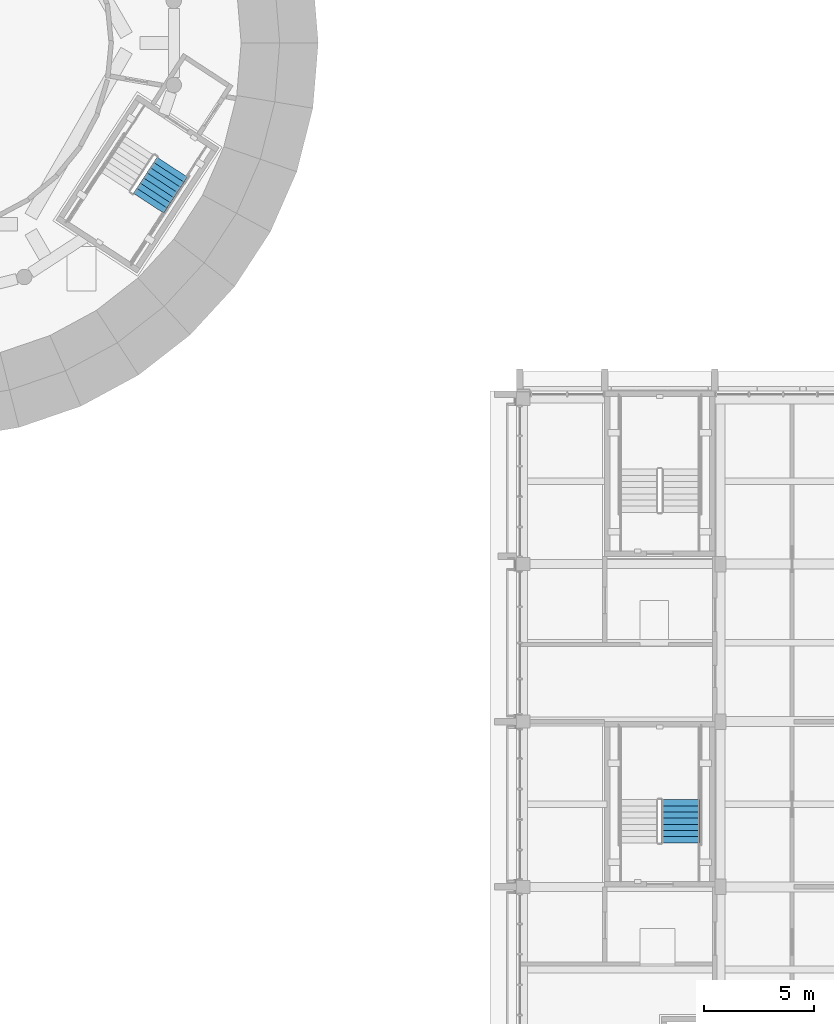
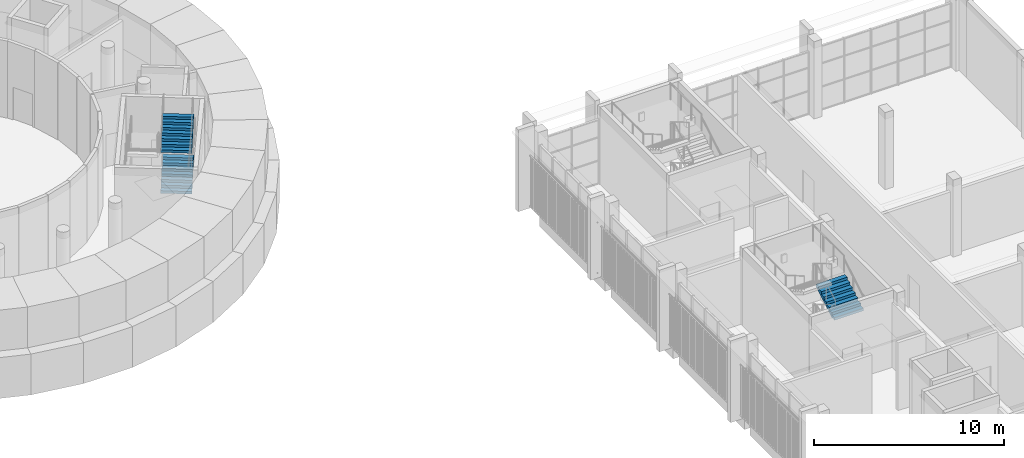
# One storey, part 78 of 125: 3 stair flights, 2 elements without a shape of their own.
"""IFC4 building model written with IfcOpenShell, lengths in metres."""

from ifc_helpers import new_model, si_unit, direction, frame, origin, place, context, subcontext, project, spatial, polyline, outline, extrude, material, type_object, element, aggregate, save


model = new_model("IFC4")

# Units and contexts
model_context = context("Model", 3, precision=1e-05, world=origin(), true_north=direction((0.0, 1.0)))
body_context = subcontext(model_context, "Body", "Model", "MODEL_VIEW")
ifc_project = project(units=[si_unit("LENGTHUNIT", "METRE"), si_unit("AREAUNIT", "SQUARE_METRE"), si_unit("VOLUMEUNIT", "CUBIC_METRE"), si_unit("PLANEANGLEUNIT", "RADIAN"), si_unit("MASSUNIT", "GRAM", prefix="KILO")], contexts=[model_context])

# Site, building, storey
site_placement = place(None, origin())
site = spatial("IfcSite", under=ifc_project, at=site_placement, CompositionType="ELEMENT")
building_placement = place(site_placement, origin())
building = spatial("IfcBuilding", under=site, at=building_placement, Name="Sun Court Science Centre", CompositionType="ELEMENT")
storey_placement = place(building_placement, frame((0.0, 0.0, 6.0)))
storey = spatial("IfcBuildingStorey", under=building, at=storey_placement, Name="L01", CompositionType="ELEMENT", Elevation=6.0)

# Stair, stair flight
ifc_material_1 = material(Name="Concrete C25/30", Category="concrete")
stair_type_1 = type_object("IfcStairType", Name="Stair 1500 enclosed half-turn", PredefinedType="HALF_TURN_STAIR", material=ifc_material_1)
stair_1_placement = place(storey_placement, origin())
stair_1 = element("IfcStair", 1, at=stair_1_placement, inside=storey, type_object=stair_type_1, Name="L01 Stair SL3", PredefinedType="HALF_TURN_STAIR")
ifc_material_2 = material(Name="Concrete C25/30", Category="concrete")
stair_flight_type = type_object("IfcStairFlightType", Name="Stair flight 1500 with waist", PredefinedType="STRAIGHT", material=ifc_material_2)
stair_flight_1_placement = place(storey_placement, frame((85.448974609375, 60.498046875, 2.625), z_axis=(0.0, 0.0, 1.0), x_axis=(0.0, 1.0, 0.0)))
stair_flight_1 = element("IfcStairFlight", 2, at=stair_flight_1_placement, type_object=stair_flight_type, Name="SL3 flight 3", NumberOfRisers=8, NumberOfTreads=7, PredefinedType="STRAIGHT", RiserHeight=0.1640625, TreadLength=0.28, context=body_context, shape_type="SweptSolid", body=[
    extrude(outline(polyline([(0.0, 0.0), (0.0, 0.00244140625), (0.0, 0.0048828125), (0.0, 0.00732421875), (0.0, 0.009765625), (0.0, 0.01220703125), (0.0, 0.0146484375), (0.0, 0.01708984375), (0.0, 0.01953125), (0.0, 0.02197265625), (0.0, 0.0244140625), (0.0, 0.02685546875), (0.0, 0.029296875), (0.0, 0.03173828125), (0.0, 0.0341796875), (0.0, 0.03662109375), (0.0, 0.0390625), (0.0, 0.04150390625), (0.0, 0.0439453125), (0.0, 0.04638671875), (0.0, 0.048828125), (0.0, 0.05126953125), (0.0, 0.0537109375), (0.0, 0.05615234375), (0.0, 0.05859375), (0.0, 0.06103515625), (0.0, 0.0634765625), (0.0, 0.06591796875), (0.0, 0.068359375), (0.0, 0.07080078125), (0.0, 0.0732421875), (0.0, 0.07568359375), (0.0, 0.078125), (0.0, 0.08056640625), (0.0, 0.0830078125), (0.0, 0.08544921875), (0.0, 0.087890625), (0.0, 0.09033203125), (0.0, 0.0927734375), (0.0, 0.09521484375), (0.0, 0.09765625), (0.0, 0.10009765625), (0.0, 0.1025390625), (0.0, 0.10498046875), (0.0, 0.107421875), (0.0, 0.10986328125), (0.0, 0.1123046875), (0.0, 0.11474609375), (0.0, 0.1171875), (0.0, 0.11962890625), (0.0, 0.1220703125), (0.0, 0.12451171875), (0.0, 0.126953125), (0.0, 0.12939453125), (0.0, 0.1318359375), (0.0, 0.13427734375), (0.0, 0.13671875), (0.0, 0.13916015625), (0.0, 0.1416015625), (0.0, 0.14404296875), (0.0, 0.146484375), (0.0, 0.14892578125), (0.0, 0.1513671875), (0.0, 0.15380859375), (0.0, 0.15625), (0.0, 0.15869140625), (0.0, 0.1611328125), (0.0, 0.1640625), (0.280029296875, 0.1640625), (0.280029296875, 0.328125), (0.56005859375, 0.328125), (0.56005859375, 0.4921875), (0.840087890625, 0.4921875), (0.840087890625, 0.65625), (1.1201171875, 0.65625), (1.1201171875, 0.8203125), (1.39990234375, 0.8203125), (1.39990234375, 0.984375), (1.679931640625, 0.984375), (1.679931640625, 1.1484375), (1.9599609375, 1.1484375), (1.9599609375, 1.15087890625), (1.9599609375, 1.1533203125), (1.9599609375, 1.15576171875), (1.9599609375, 1.158203125), (1.9599609375, 1.16064453125), (1.9599609375, 1.1630859375), (1.9599609375, 1.16552734375), (1.9599609375, 1.16796875), (1.9599609375, 1.17041015625), (1.9599609375, 1.1728515625), (1.9599609375, 1.17529296875), (1.9599609375, 1.177734375), (1.9599609375, 1.18017578125), (1.9599609375, 1.1826171875), (1.9599609375, 1.18505859375), (1.9599609375, 1.1875), (1.9599609375, 1.18994140625), (1.9599609375, 1.1923828125), (1.9599609375, 1.19482421875), (1.9599609375, 1.197265625), (1.9599609375, 1.19970703125), (1.9599609375, 1.2021484375), (1.9599609375, 1.20458984375), (1.9599609375, 1.20703125), (1.9599609375, 1.20947265625), (1.9599609375, 1.2119140625), (1.9599609375, 1.21435546875), (1.9599609375, 1.216796875), (1.9599609375, 1.21923828125), (1.9599609375, 1.2216796875), (1.9599609375, 1.22412109375), (1.9599609375, 1.2265625), (1.9599609375, 1.22900390625), (1.9599609375, 1.2314453125), (1.9599609375, 1.23388671875), (1.9599609375, 1.236328125), (1.9599609375, 1.23876953125), (1.9599609375, 1.2412109375), (1.9599609375, 1.24365234375), (1.9599609375, 1.24609375), (1.9599609375, 1.24853515625), (1.9599609375, 1.2509765625), (1.9599609375, 1.25341796875), (1.9599609375, 1.255859375), (1.9599609375, 1.25830078125), (1.9599609375, 1.2607421875), (1.9599609375, 1.26318359375), (1.9599609375, 1.265625), (1.9599609375, 1.26806640625), (1.9599609375, 1.2705078125), (1.9599609375, 1.27294921875), (1.9599609375, 1.275390625), (1.9599609375, 1.27783203125), (1.9599609375, 1.2802734375), (1.9599609375, 1.28271484375), (1.9599609375, 1.28515625), (1.9599609375, 1.28759765625), (1.9599609375, 1.2900390625), (1.9599609375, 1.29248046875), (1.9599609375, 1.294921875), (1.9599609375, 1.29736328125), (1.9599609375, 1.2998046875), (1.9599609375, 1.30224609375), (1.9599609375, 1.3046875), (1.9599609375, 1.30712890625), (1.9599609375, 1.3095703125), (1.9599609375, 1.3125), (1.9599609375, 1.31005859375), (1.9599609375, 1.3076171875), (1.9599609375, 1.30517578125), (1.9599609375, 1.302734375), (1.9599609375, 1.30029296875), (1.9599609375, 1.2978515625), (1.9599609375, 1.29541015625), (1.9599609375, 1.29296875), (1.9599609375, 1.29052734375), (1.9599609375, 1.2880859375), (1.9599609375, 1.28564453125), (1.9599609375, 1.283203125), (1.9599609375, 1.28076171875), (1.9599609375, 1.2783203125), (1.9599609375, 1.27587890625), (1.9599609375, 1.2734375), (1.9599609375, 1.27099609375), (1.9599609375, 1.2685546875), (1.9599609375, 1.26611328125), (1.9599609375, 1.263671875), (1.9599609375, 1.26123046875), (1.9599609375, 1.2587890625), (1.9599609375, 1.25634765625), (1.9599609375, 1.25390625), (1.9599609375, 1.25146484375), (1.9599609375, 1.2490234375), (1.9599609375, 1.24658203125), (1.9599609375, 1.244140625), (1.9599609375, 1.24169921875), (1.9599609375, 1.2392578125), (1.9599609375, 1.23681640625), (1.9599609375, 1.234375), (1.9599609375, 1.23193359375), (1.9599609375, 1.2294921875), (1.9599609375, 1.22705078125), (1.9599609375, 1.224609375), (1.9599609375, 1.22216796875), (1.9599609375, 1.2197265625), (1.9599609375, 1.21728515625), (1.9599609375, 1.21484375), (1.9599609375, 1.21240234375), (1.9599609375, 1.2099609375), (1.9599609375, 1.20751953125), (1.9599609375, 1.205078125), (1.9599609375, 1.20263671875), (1.9599609375, 1.2001953125), (1.9599609375, 1.19775390625), (1.9599609375, 1.1953125), (1.9599609375, 1.19287109375), (1.9599609375, 1.1904296875), (1.9599609375, 1.18798828125), (1.9599609375, 1.185546875), (1.9599609375, 1.18310546875), (1.9599609375, 1.1806640625), (1.9599609375, 1.17822265625), (1.9599609375, 1.17578125), (1.9599609375, 1.17333984375), (1.9599609375, 1.1708984375), (1.9599609375, 1.16845703125), (1.9599609375, 1.166015625), (1.9599609375, 1.16357421875), (1.9599609375, 1.1611328125), (1.9599609375, 1.15869140625), (1.9599609375, 1.15625), (1.9599609375, 1.15380859375), (1.9599609375, 1.1513671875), (1.9599609375, 1.14892578125), (1.9599609375, 1.146484375), (1.9599609375, 1.14404296875), (1.9599609375, 1.1416015625), (1.9599609375, 1.13916015625), (1.9599609375, 1.13671875), (1.9599609375, 1.13427734375), (1.9599609375, 1.1318359375), (1.9599609375, 1.12939453125), (1.9599609375, 1.126953125), (1.9599609375, 1.12451171875), (1.9599609375, 1.1220703125), (1.9599609375, 1.11962890625), (1.9599609375, 1.1171875), (1.9599609375, 1.11474609375), (1.9599609375, 1.1123046875), (1.9599609375, 1.10986328125), (1.9599609375, 1.107421875), (1.9599609375, 1.10498046875), (1.9599609375, 1.1025390625), (1.9599609375, 1.10009765625), (1.9599609375, 1.09765625), (1.9599609375, 1.09521484375), (1.9599609375, 1.0927734375), (1.9599609375, 1.09033203125), (1.9599609375, 1.087890625), (1.9599609375, 1.08544921875), (1.9599609375, 1.0830078125), (1.9599609375, 1.08056640625), (1.9599609375, 1.078125), (1.9599609375, 1.07568359375), (1.9599609375, 1.0732421875), (1.9599609375, 1.07080078125), (1.9599609375, 1.068359375), (1.9599609375, 1.06591796875), (1.9599609375, 1.0634765625), (1.9599609375, 1.06103515625), (1.9599609375, 1.05859375), (1.9599609375, 1.05615234375), (1.9599609375, 1.0537109375), (1.9599609375, 1.05126953125), (1.9599609375, 1.048828125), (1.9599609375, 1.04638671875), (1.9599609375, 1.0439453125), (1.9599609375, 1.04150390625), (1.9599609375, 1.0390625), (1.9599609375, 1.03662109375), (1.9599609375, 1.0341796875), (1.9599609375, 1.03173828125), (1.9599609375, 1.029296875), (1.9599609375, 1.02685546875), (1.9599609375, 1.0244140625), (1.9599609375, 1.02197265625), (1.9599609375, 1.01953125), (1.9599609375, 1.01708984375), (1.9599609375, 1.0146484375), (1.9599609375, 1.01220703125), (1.9599609375, 1.009765625), (1.9599609375, 1.00732421875), (1.9599609375, 1.0048828125), (1.9599609375, 1.00244140625), (1.9599609375, 1.0), (1.9599609375, 0.99755859375), (1.9599609375, 0.9951171875), (1.9599609375, 0.99267578125), (1.9599609375, 0.990234375), (1.9599609375, 0.98779296875), (1.9599609375, 0.9853515625), (1.9599609375, 0.98291015625), (1.9599609375, 0.98046875), (1.9599609375, 0.97802734375), (1.9599609375, 0.974609375), (0.296630859375, 0.0), (0.0, 0.0)])), frame((0.0, 0.8740234375, 0.0), z_axis=(0.0, -1.0, 0.0), x_axis=(1.0, 0.0, 0.0)), (0.0, 0.0, 1.0), 1.748046875),
])
aggregate(stair_1, [stair_flight_1])

# Stair, stair flights
ifc_material_3 = material(Name="Concrete C25/30", Category="concrete")
stair_type_2 = type_object("IfcStairType", Name="Stair 1500 drum half-turn", PredefinedType="HALF_TURN_STAIR", material=ifc_material_3)
stair_2_placement = place(storey_placement, origin())
stair_2 = element("IfcStair", 3, at=stair_2_placement, inside=storey, type_object=stair_type_2, Name="L01 Stair PS1", PredefinedType="HALF_TURN_STAIR")
stair_flight_2_placement = place(storey_placement, frame((61.296875, 89.525634765625, 1.3125), z_axis=(0.0, 0.0, 1.0), x_axis=(0.546948161968, 0.83716647575, 0.0)))
stair_flight_2 = element("IfcStairFlight", 4, at=stair_flight_2_placement, type_object=stair_flight_type, Name="PS1 flight 2", NumberOfRisers=8, NumberOfTreads=7, PredefinedType="STRAIGHT", RiserHeight=0.1640625, TreadLength=0.28, context=body_context, shape_type="SweptSolid", body=[
    extrude(outline(polyline([(0.0, 0.0), (0.0, 0.00244140625), (0.0, 0.0048828125), (0.0, 0.00732421875), (0.0, 0.009765625), (0.0, 0.01220703125), (0.0, 0.0146484375), (0.0, 0.01708984375), (0.0, 0.01953125), (0.0, 0.02197265625), (0.0, 0.0244140625), (0.0, 0.02685546875), (0.0, 0.029296875), (0.0, 0.03173828125), (0.0, 0.0341796875), (0.0, 0.03662109375), (0.0, 0.0390625), (0.0, 0.04150390625), (0.0, 0.0439453125), (0.0, 0.04638671875), (0.0, 0.048828125), (0.0, 0.05126953125), (0.0, 0.0537109375), (0.0, 0.05615234375), (0.0, 0.05859375), (0.0, 0.06103515625), (0.0, 0.0634765625), (0.0, 0.06591796875), (0.0, 0.068359375), (0.0, 0.07080078125), (0.0, 0.0732421875), (0.0, 0.07568359375), (0.0, 0.078125), (0.0, 0.08056640625), (0.0, 0.0830078125), (0.0, 0.08544921875), (0.0, 0.087890625), (0.0, 0.09033203125), (0.0, 0.0927734375), (0.0, 0.09521484375), (0.0, 0.09765625), (0.0, 0.10009765625), (0.0, 0.1025390625), (0.0, 0.10498046875), (0.0, 0.107421875), (0.0, 0.10986328125), (0.0, 0.1123046875), (0.0, 0.11474609375), (0.0, 0.1171875), (0.0, 0.11962890625), (0.0, 0.1220703125), (0.0, 0.12451171875), (0.0, 0.126953125), (0.0, 0.12939453125), (0.0, 0.1318359375), (0.0, 0.13427734375), (0.0, 0.13671875), (0.0, 0.13916015625), (0.0, 0.1416015625), (0.0, 0.14404296875), (0.0, 0.146484375), (0.0, 0.14892578125), (0.0, 0.1513671875), (0.0, 0.15380859375), (0.0, 0.15625), (0.0, 0.15869140625), (0.0, 0.1611328125), (0.0, 0.1640625), (0.280029296875, 0.1640625), (0.280029296875, 0.328125), (0.56005859375, 0.328125), (0.56005859375, 0.4921875), (0.840087890625, 0.4921875), (0.840087890625, 0.65625), (1.1201171875, 0.65625), (1.1201171875, 0.8203125), (1.39990234375, 0.8203125), (1.39990234375, 0.984375), (1.679931640625, 0.984375), (1.679931640625, 1.1484375), (1.9599609375, 1.1484375), (1.9599609375, 1.15087890625), (1.9599609375, 1.1533203125), (1.9599609375, 1.15576171875), (1.9599609375, 1.158203125), (1.9599609375, 1.16064453125), (1.9599609375, 1.1630859375), (1.9599609375, 1.16552734375), (1.9599609375, 1.16796875), (1.9599609375, 1.17041015625), (1.9599609375, 1.1728515625), (1.9599609375, 1.17529296875), (1.9599609375, 1.177734375), (1.9599609375, 1.18017578125), (1.9599609375, 1.1826171875), (1.9599609375, 1.18505859375), (1.9599609375, 1.1875), (1.9599609375, 1.18994140625), (1.9599609375, 1.1923828125), (1.9599609375, 1.19482421875), (1.9599609375, 1.197265625), (1.9599609375, 1.19970703125), (1.9599609375, 1.2021484375), (1.9599609375, 1.20458984375), (1.9599609375, 1.20703125), (1.9599609375, 1.20947265625), (1.9599609375, 1.2119140625), (1.9599609375, 1.21435546875), (1.9599609375, 1.216796875), (1.9599609375, 1.21923828125), (1.9599609375, 1.2216796875), (1.9599609375, 1.22412109375), (1.9599609375, 1.2265625), (1.9599609375, 1.22900390625), (1.9599609375, 1.2314453125), (1.9599609375, 1.23388671875), (1.9599609375, 1.236328125), (1.9599609375, 1.23876953125), (1.9599609375, 1.2412109375), (1.9599609375, 1.24365234375), (1.9599609375, 1.24609375), (1.9599609375, 1.24853515625), (1.9599609375, 1.2509765625), (1.9599609375, 1.25341796875), (1.9599609375, 1.255859375), (1.9599609375, 1.25830078125), (1.9599609375, 1.2607421875), (1.9599609375, 1.26318359375), (1.9599609375, 1.265625), (1.9599609375, 1.26806640625), (1.9599609375, 1.2705078125), (1.9599609375, 1.27294921875), (1.9599609375, 1.275390625), (1.9599609375, 1.27783203125), (1.9599609375, 1.2802734375), (1.9599609375, 1.28271484375), (1.9599609375, 1.28515625), (1.9599609375, 1.28759765625), (1.9599609375, 1.2900390625), (1.9599609375, 1.29248046875), (1.9599609375, 1.294921875), (1.9599609375, 1.29736328125), (1.9599609375, 1.2998046875), (1.9599609375, 1.30224609375), (1.9599609375, 1.3046875), (1.9599609375, 1.30712890625), (1.9599609375, 1.3095703125), (1.9599609375, 1.3125), (1.9599609375, 1.31005859375), (1.9599609375, 1.3076171875), (1.9599609375, 1.30517578125), (1.9599609375, 1.302734375), (1.9599609375, 1.30029296875), (1.9599609375, 1.2978515625), (1.9599609375, 1.29541015625), (1.9599609375, 1.29296875), (1.9599609375, 1.29052734375), (1.9599609375, 1.2880859375), (1.9599609375, 1.28564453125), (1.9599609375, 1.283203125), (1.9599609375, 1.28076171875), (1.9599609375, 1.2783203125), (1.9599609375, 1.27587890625), (1.9599609375, 1.2734375), (1.9599609375, 1.27099609375), (1.9599609375, 1.2685546875), (1.9599609375, 1.26611328125), (1.9599609375, 1.263671875), (1.9599609375, 1.26123046875), (1.9599609375, 1.2587890625), (1.9599609375, 1.25634765625), (1.9599609375, 1.25390625), (1.9599609375, 1.25146484375), (1.9599609375, 1.2490234375), (1.9599609375, 1.24658203125), (1.9599609375, 1.244140625), (1.9599609375, 1.24169921875), (1.9599609375, 1.2392578125), (1.9599609375, 1.23681640625), (1.9599609375, 1.234375), (1.9599609375, 1.23193359375), (1.9599609375, 1.2294921875), (1.9599609375, 1.22705078125), (1.9599609375, 1.224609375), (1.9599609375, 1.22216796875), (1.9599609375, 1.2197265625), (1.9599609375, 1.21728515625), (1.9599609375, 1.21484375), (1.9599609375, 1.21240234375), (1.9599609375, 1.2099609375), (1.9599609375, 1.20751953125), (1.9599609375, 1.205078125), (1.9599609375, 1.20263671875), (1.9599609375, 1.2001953125), (1.9599609375, 1.19775390625), (1.9599609375, 1.1953125), (1.9599609375, 1.19287109375), (1.9599609375, 1.1904296875), (1.9599609375, 1.18798828125), (1.9599609375, 1.185546875), (1.9599609375, 1.18310546875), (1.9599609375, 1.1806640625), (1.9599609375, 1.17822265625), (1.9599609375, 1.17578125), (1.9599609375, 1.17333984375), (1.9599609375, 1.1708984375), (1.9599609375, 1.16845703125), (1.9599609375, 1.166015625), (1.9599609375, 1.16357421875), (1.9599609375, 1.1611328125), (1.9599609375, 1.15869140625), (1.9599609375, 1.15625), (1.9599609375, 1.15380859375), (1.9599609375, 1.1513671875), (1.9599609375, 1.14892578125), (1.9599609375, 1.146484375), (1.9599609375, 1.14404296875), (1.9599609375, 1.1416015625), (1.9599609375, 1.13916015625), (1.9599609375, 1.13671875), (1.9599609375, 1.13427734375), (1.9599609375, 1.1318359375), (1.9599609375, 1.12939453125), (1.9599609375, 1.126953125), (1.9599609375, 1.12451171875), (1.9599609375, 1.1220703125), (1.9599609375, 1.11962890625), (1.9599609375, 1.1171875), (1.9599609375, 1.11474609375), (1.9599609375, 1.1123046875), (1.9599609375, 1.10986328125), (1.9599609375, 1.107421875), (1.9599609375, 1.10498046875), (1.9599609375, 1.1025390625), (1.9599609375, 1.10009765625), (1.9599609375, 1.09765625), (1.9599609375, 1.09521484375), (1.9599609375, 1.0927734375), (1.9599609375, 1.09033203125), (1.9599609375, 1.087890625), (1.9599609375, 1.08544921875), (1.9599609375, 1.0830078125), (1.9599609375, 1.08056640625), (1.9599609375, 1.078125), (1.9599609375, 1.07568359375), (1.9599609375, 1.0732421875), (1.9599609375, 1.07080078125), (1.9599609375, 1.068359375), (1.9599609375, 1.06591796875), (1.9599609375, 1.0634765625), (1.9599609375, 1.06103515625), (1.9599609375, 1.05859375), (1.9599609375, 1.05615234375), (1.9599609375, 1.0537109375), (1.9599609375, 1.05126953125), (1.9599609375, 1.048828125), (1.9599609375, 1.04638671875), (1.9599609375, 1.0439453125), (1.9599609375, 1.04150390625), (1.9599609375, 1.0390625), (1.9599609375, 1.03662109375), (1.9599609375, 1.0341796875), (1.9599609375, 1.03173828125), (1.9599609375, 1.029296875), (1.9599609375, 1.02685546875), (1.9599609375, 1.0244140625), (1.9599609375, 1.02197265625), (1.9599609375, 1.01953125), (1.9599609375, 1.01708984375), (1.9599609375, 1.0146484375), (1.9599609375, 1.01220703125), (1.9599609375, 1.009765625), (1.9599609375, 1.00732421875), (1.9599609375, 1.0048828125), (1.9599609375, 1.00244140625), (1.9599609375, 1.0), (1.9599609375, 0.99755859375), (1.9599609375, 0.9951171875), (1.9599609375, 0.99267578125), (1.9599609375, 0.990234375), (1.9599609375, 0.98779296875), (1.9599609375, 0.9853515625), (1.9599609375, 0.98291015625), (1.9599609375, 0.98046875), (1.9599609375, 0.97802734375), (1.9599609375, 0.974609375), (0.296630859375, 0.0), (0.0, 0.0)])), frame((0.0, 0.823974609375, 0.0), z_axis=(0.0, -1.0, 0.0), x_axis=(1.0, 0.0, 0.0)), (0.0, 0.0, 1.0), 1.64794921875),
])
stair_flight_3_placement = place(storey_placement, frame((61.296875, 89.525634765625, 3.9375), z_axis=(0.0, 0.0, 1.0), x_axis=(0.546948161968, 0.83716647575, 0.0)))
stair_flight_3 = element("IfcStairFlight", 5, at=stair_flight_3_placement, type_object=stair_flight_type, Name="PS1 flight 4", NumberOfRisers=8, NumberOfTreads=7, PredefinedType="STRAIGHT", RiserHeight=0.1640625, TreadLength=0.28, context=body_context, shape_type="SweptSolid", body=[
    extrude(outline(polyline([(0.0, 0.0), (0.0, 0.00244140625), (0.0, 0.0048828125), (0.0, 0.00732421875), (0.0, 0.009765625), (0.0, 0.01220703125), (0.0, 0.0146484375), (0.0, 0.01708984375), (0.0, 0.01953125), (0.0, 0.02197265625), (0.0, 0.0244140625), (0.0, 0.02685546875), (0.0, 0.029296875), (0.0, 0.03173828125), (0.0, 0.0341796875), (0.0, 0.03662109375), (0.0, 0.0390625), (0.0, 0.04150390625), (0.0, 0.0439453125), (0.0, 0.04638671875), (0.0, 0.048828125), (0.0, 0.05126953125), (0.0, 0.0537109375), (0.0, 0.05615234375), (0.0, 0.05859375), (0.0, 0.06103515625), (0.0, 0.0634765625), (0.0, 0.06591796875), (0.0, 0.068359375), (0.0, 0.07080078125), (0.0, 0.0732421875), (0.0, 0.07568359375), (0.0, 0.078125), (0.0, 0.08056640625), (0.0, 0.0830078125), (0.0, 0.08544921875), (0.0, 0.087890625), (0.0, 0.09033203125), (0.0, 0.0927734375), (0.0, 0.09521484375), (0.0, 0.09765625), (0.0, 0.10009765625), (0.0, 0.1025390625), (0.0, 0.10498046875), (0.0, 0.107421875), (0.0, 0.10986328125), (0.0, 0.1123046875), (0.0, 0.11474609375), (0.0, 0.1171875), (0.0, 0.11962890625), (0.0, 0.1220703125), (0.0, 0.12451171875), (0.0, 0.126953125), (0.0, 0.12939453125), (0.0, 0.1318359375), (0.0, 0.13427734375), (0.0, 0.13671875), (0.0, 0.13916015625), (0.0, 0.1416015625), (0.0, 0.14404296875), (0.0, 0.146484375), (0.0, 0.14892578125), (0.0, 0.1513671875), (0.0, 0.15380859375), (0.0, 0.15625), (0.0, 0.15869140625), (0.0, 0.1611328125), (0.0, 0.1640625), (0.280029296875, 0.1640625), (0.280029296875, 0.328125), (0.56005859375, 0.328125), (0.56005859375, 0.4921875), (0.840087890625, 0.4921875), (0.840087890625, 0.65625), (1.1201171875, 0.65625), (1.1201171875, 0.8203125), (1.39990234375, 0.8203125), (1.39990234375, 0.984375), (1.679931640625, 0.984375), (1.679931640625, 1.1484375), (1.9599609375, 1.1484375), (1.9599609375, 1.15087890625), (1.9599609375, 1.1533203125), (1.9599609375, 1.15576171875), (1.9599609375, 1.158203125), (1.9599609375, 1.16064453125), (1.9599609375, 1.1630859375), (1.9599609375, 1.16552734375), (1.9599609375, 1.16796875), (1.9599609375, 1.17041015625), (1.9599609375, 1.1728515625), (1.9599609375, 1.17529296875), (1.9599609375, 1.177734375), (1.9599609375, 1.18017578125), (1.9599609375, 1.1826171875), (1.9599609375, 1.18505859375), (1.9599609375, 1.1875), (1.9599609375, 1.18994140625), (1.9599609375, 1.1923828125), (1.9599609375, 1.19482421875), (1.9599609375, 1.197265625), (1.9599609375, 1.19970703125), (1.9599609375, 1.2021484375), (1.9599609375, 1.20458984375), (1.9599609375, 1.20703125), (1.9599609375, 1.20947265625), (1.9599609375, 1.2119140625), (1.9599609375, 1.21435546875), (1.9599609375, 1.216796875), (1.9599609375, 1.21923828125), (1.9599609375, 1.2216796875), (1.9599609375, 1.22412109375), (1.9599609375, 1.2265625), (1.9599609375, 1.22900390625), (1.9599609375, 1.2314453125), (1.9599609375, 1.23388671875), (1.9599609375, 1.236328125), (1.9599609375, 1.23876953125), (1.9599609375, 1.2412109375), (1.9599609375, 1.24365234375), (1.9599609375, 1.24609375), (1.9599609375, 1.24853515625), (1.9599609375, 1.2509765625), (1.9599609375, 1.25341796875), (1.9599609375, 1.255859375), (1.9599609375, 1.25830078125), (1.9599609375, 1.2607421875), (1.9599609375, 1.26318359375), (1.9599609375, 1.265625), (1.9599609375, 1.26806640625), (1.9599609375, 1.2705078125), (1.9599609375, 1.27294921875), (1.9599609375, 1.275390625), (1.9599609375, 1.27783203125), (1.9599609375, 1.2802734375), (1.9599609375, 1.28271484375), (1.9599609375, 1.28515625), (1.9599609375, 1.28759765625), (1.9599609375, 1.2900390625), (1.9599609375, 1.29248046875), (1.9599609375, 1.294921875), (1.9599609375, 1.29736328125), (1.9599609375, 1.2998046875), (1.9599609375, 1.30224609375), (1.9599609375, 1.3046875), (1.9599609375, 1.30712890625), (1.9599609375, 1.3095703125), (1.9599609375, 1.3125), (1.9599609375, 1.31005859375), (1.9599609375, 1.3076171875), (1.9599609375, 1.30517578125), (1.9599609375, 1.302734375), (1.9599609375, 1.30029296875), (1.9599609375, 1.2978515625), (1.9599609375, 1.29541015625), (1.9599609375, 1.29296875), (1.9599609375, 1.29052734375), (1.9599609375, 1.2880859375), (1.9599609375, 1.28564453125), (1.9599609375, 1.283203125), (1.9599609375, 1.28076171875), (1.9599609375, 1.2783203125), (1.9599609375, 1.27587890625), (1.9599609375, 1.2734375), (1.9599609375, 1.27099609375), (1.9599609375, 1.2685546875), (1.9599609375, 1.26611328125), (1.9599609375, 1.263671875), (1.9599609375, 1.26123046875), (1.9599609375, 1.2587890625), (1.9599609375, 1.25634765625), (1.9599609375, 1.25390625), (1.9599609375, 1.25146484375), (1.9599609375, 1.2490234375), (1.9599609375, 1.24658203125), (1.9599609375, 1.244140625), (1.9599609375, 1.24169921875), (1.9599609375, 1.2392578125), (1.9599609375, 1.23681640625), (1.9599609375, 1.234375), (1.9599609375, 1.23193359375), (1.9599609375, 1.2294921875), (1.9599609375, 1.22705078125), (1.9599609375, 1.224609375), (1.9599609375, 1.22216796875), (1.9599609375, 1.2197265625), (1.9599609375, 1.21728515625), (1.9599609375, 1.21484375), (1.9599609375, 1.21240234375), (1.9599609375, 1.2099609375), (1.9599609375, 1.20751953125), (1.9599609375, 1.205078125), (1.9599609375, 1.20263671875), (1.9599609375, 1.2001953125), (1.9599609375, 1.19775390625), (1.9599609375, 1.1953125), (1.9599609375, 1.19287109375), (1.9599609375, 1.1904296875), (1.9599609375, 1.18798828125), (1.9599609375, 1.185546875), (1.9599609375, 1.18310546875), (1.9599609375, 1.1806640625), (1.9599609375, 1.17822265625), (1.9599609375, 1.17578125), (1.9599609375, 1.17333984375), (1.9599609375, 1.1708984375), (1.9599609375, 1.16845703125), (1.9599609375, 1.166015625), (1.9599609375, 1.16357421875), (1.9599609375, 1.1611328125), (1.9599609375, 1.15869140625), (1.9599609375, 1.15625), (1.9599609375, 1.15380859375), (1.9599609375, 1.1513671875), (1.9599609375, 1.14892578125), (1.9599609375, 1.146484375), (1.9599609375, 1.14404296875), (1.9599609375, 1.1416015625), (1.9599609375, 1.13916015625), (1.9599609375, 1.13671875), (1.9599609375, 1.13427734375), (1.9599609375, 1.1318359375), (1.9599609375, 1.12939453125), (1.9599609375, 1.126953125), (1.9599609375, 1.12451171875), (1.9599609375, 1.1220703125), (1.9599609375, 1.11962890625), (1.9599609375, 1.1171875), (1.9599609375, 1.11474609375), (1.9599609375, 1.1123046875), (1.9599609375, 1.10986328125), (1.9599609375, 1.107421875), (1.9599609375, 1.10498046875), (1.9599609375, 1.1025390625), (1.9599609375, 1.10009765625), (1.9599609375, 1.09765625), (1.9599609375, 1.09521484375), (1.9599609375, 1.0927734375), (1.9599609375, 1.09033203125), (1.9599609375, 1.087890625), (1.9599609375, 1.08544921875), (1.9599609375, 1.0830078125), (1.9599609375, 1.08056640625), (1.9599609375, 1.078125), (1.9599609375, 1.07568359375), (1.9599609375, 1.0732421875), (1.9599609375, 1.07080078125), (1.9599609375, 1.068359375), (1.9599609375, 1.06591796875), (1.9599609375, 1.0634765625), (1.9599609375, 1.06103515625), (1.9599609375, 1.05859375), (1.9599609375, 1.05615234375), (1.9599609375, 1.0537109375), (1.9599609375, 1.05126953125), (1.9599609375, 1.048828125), (1.9599609375, 1.04638671875), (1.9599609375, 1.0439453125), (1.9599609375, 1.04150390625), (1.9599609375, 1.0390625), (1.9599609375, 1.03662109375), (1.9599609375, 1.0341796875), (1.9599609375, 1.03173828125), (1.9599609375, 1.029296875), (1.9599609375, 1.02685546875), (1.9599609375, 1.0244140625), (1.9599609375, 1.02197265625), (1.9599609375, 1.01953125), (1.9599609375, 1.01708984375), (1.9599609375, 1.0146484375), (1.9599609375, 1.01220703125), (1.9599609375, 1.009765625), (1.9599609375, 1.00732421875), (1.9599609375, 1.0048828125), (1.9599609375, 1.00244140625), (1.9599609375, 1.0), (1.9599609375, 0.99755859375), (1.9599609375, 0.9951171875), (1.9599609375, 0.99267578125), (1.9599609375, 0.990234375), (1.9599609375, 0.98779296875), (1.9599609375, 0.9853515625), (1.9599609375, 0.98291015625), (1.9599609375, 0.98046875), (1.9599609375, 0.97802734375), (1.9599609375, 0.974609375), (0.296630859375, 0.0), (0.0, 0.0)])), frame((0.0, 0.823974609375, 0.0), z_axis=(0.0, -1.0, 0.0), x_axis=(1.0, 0.0, 0.0)), (0.0, 0.0, 1.0), 1.64794921875),
])
aggregate(stair_2, [stair_flight_2, stair_flight_3])

save(model, "model.ifc")
